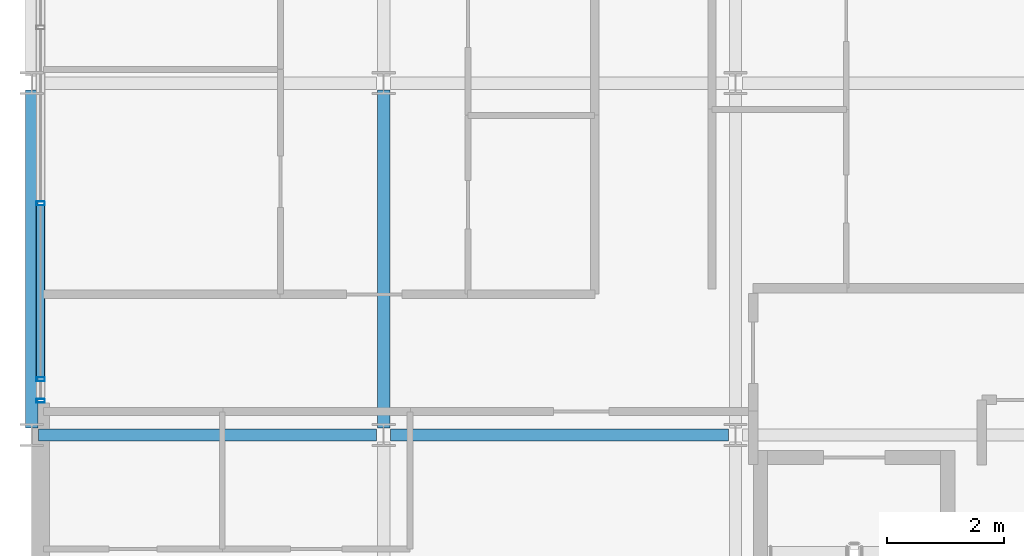
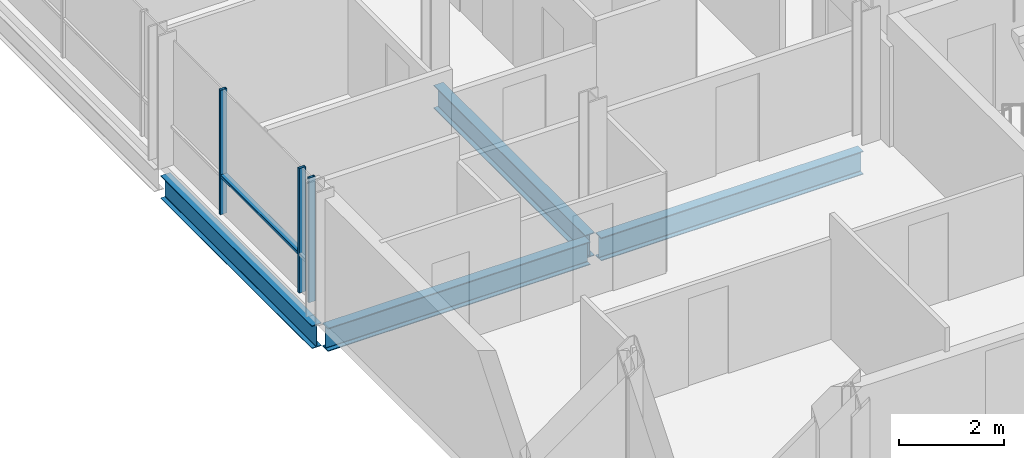
# One storey, part 3 of 33: 4 beams, 4 members, 1 element without a shape of its own.
"""IFC4 building model written with IfcOpenShell, lengths in metres."""

import ifcopenshell
import ifcopenshell.guid

model = None  # the IFC model being written
_history = None  # IfcOwnerHistory: only IFC2X3 demands one
_inside = {}  # id of a spatial element -> (the spatial element, [elements in it])
_under = {}  # id of a project, library or spatial element -> (it, [spatial elements below it])
_declared = {}  # id of a project -> (the project, [libraries it declares])
_typed = {}  # id of a type object -> (the type object, [elements of that type])
_made_of = {}  # id of a material, layer set ... -> (it, [elements and type objects made of it])


def new_model(schema):
    """Start an empty IFC model of exactly this schema.

    Asked for "IFC4X3", IfcOpenShell would pick the latest addendum, in which some entities
    have other attributes; the version numbers below select the first issue.
    IFC2X3 requires an IfcOwnerHistory on every rooted entity: one is made here for all.
    """
    global model, _history
    if schema == "IFC4X3":
        model = ifcopenshell.file(schema_version=(4, 3, 0, 0))
    else:
        model = ifcopenshell.file(schema=schema)
    _inside.clear()
    _under.clear()
    _declared.clear()
    _typed.clear()
    _made_of.clear()
    _history = None
    if model.schema == "IFC2X3":
        org = make("IfcOrganization", Name="unknown")
        user = make(
            "IfcPersonAndOrganization",
            ThePerson=make("IfcPerson", FamilyName="unknown"),
            TheOrganization=org,
        )
        app = make(
            "IfcApplication",
            ApplicationDeveloper=org,
            Version="unknown",
            ApplicationFullName="unknown",
            ApplicationIdentifier="unknown",
        )
        _history = make(
            "IfcOwnerHistory",
            OwningUser=user,
            OwningApplication=app,
            ChangeAction="ADDED",
            CreationDate=0,
        )
    return model


def make(cls, **values):
    """One entity of the class cls with the attributes given. An attribute that is None is left unset."""
    return model.create_entity(
        cls, **{name: value for name, value in values.items() if value is not None}
    )


def rooted(cls, **values):
    """An entity with a GlobalId (a new one), such as an element, a storey or a relation."""
    return make(cls, GlobalId=ifcopenshell.guid.new(), OwnerHistory=_history, **values)


def si_unit(unit_type, name, prefix=None):
    """IfcSIUnit, for example si_unit("LENGTHUNIT", "METRE", prefix="MILLI")."""
    return make("IfcSIUnit", UnitType=unit_type, Prefix=prefix, Name=name)


def assignment(units):
    """IfcUnitAssignment: the units of a project."""
    return None if units is None else make("IfcUnitAssignment", Units=units)


def point(xyz):
    """IfcCartesianPoint."""
    return None if xyz is None else make("IfcCartesianPoint", Coordinates=xyz)


def direction(xyz):
    """IfcDirection."""
    return None if xyz is None else make("IfcDirection", DirectionRatios=xyz)


def frame(location, z_axis=None, x_axis=None):
    """IfcAxis2Placement3D, a coordinate frame: its origin and axes. An axis left out is left unset."""
    return make(
        "IfcAxis2Placement3D",
        Location=point(location),
        Axis=direction(z_axis),
        RefDirection=direction(x_axis),
    )


def frame_2d(location, x_axis=None):
    """IfcAxis2Placement2D, a coordinate frame in the plane: its origin and x axis."""
    return make(
        "IfcAxis2Placement2D", Location=point(location), RefDirection=direction(x_axis)
    )


def origin():
    """The frame at (0, 0, 0) with its axes left unset."""
    return frame((0.0, 0.0, 0.0))


def origin_2d():
    """The frame at (0, 0) in the plane with its x axis left unset."""
    return frame_2d((0.0, 0.0))


def place(relative_to, where):
    """IfcLocalPlacement: puts the frame where relative to a parent placement (None: the world)."""
    return make(
        "IfcLocalPlacement", PlacementRelTo=relative_to, RelativePlacement=where
    )


def context(
    kind, dimensions, precision=None, world=None, true_north=None, identifier=None
):
    """IfcGeometricRepresentationContext, for example the 3D "Model" context."""
    return make(
        "IfcGeometricRepresentationContext",
        ContextIdentifier=identifier,
        ContextType=kind,
        CoordinateSpaceDimension=dimensions,
        Precision=precision,
        WorldCoordinateSystem=world,
        TrueNorth=true_north,
    )


def subcontext(parent, identifier, kind, view, scale=None):
    """IfcGeometricRepresentationSubContext, for example "Body" below "Model"."""
    return make(
        "IfcGeometricRepresentationSubContext",
        ContextIdentifier=identifier,
        ContextType=kind,
        ParentContext=parent,
        TargetScale=scale,
        TargetView=view,
    )


def project(units=None, contexts=None):
    """IfcProject with its units and contexts."""
    return rooted(
        "IfcProject",
        Name="project",
        RepresentationContexts=contexts,
        UnitsInContext=assignment(units),
    )


def spatial(cls, under=None, at=None, **own):
    """A site, building, storey or space (cls), placed at a placement, below another one or the project."""
    s = rooted(cls, ObjectPlacement=at, **own)
    if under is not None:
        _under.setdefault(under.id(), (under, []))[1].append(s)
    return s


def profile(cls, at=None, kind="AREA", **sizes):
    """A parametric profile (cls). Its sizes go by their IFC names, for example OverallWidth=200.0."""
    return make(cls, ProfileType=kind, Position=at, **sizes)


def hollow_rectangle(**sizes):
    """IfcRectangleHollowProfileDef."""
    return profile("IfcRectangleHollowProfileDef", **sizes)


def i_section(**sizes):
    """IfcIShapeProfileDef."""
    return profile("IfcIShapeProfileDef", **sizes)


def extrude(swept, where, along, depth):
    """IfcExtrudedAreaSolid: the profile swept, set in the frame where, extruded along a direction by depth."""
    return make(
        "IfcExtrudedAreaSolid",
        SweptArea=swept,
        Position=where,
        ExtrudedDirection=direction(along),
        Depth=depth,
    )


def shape(context_of_items, identifier, shape_type, items):
    """IfcShapeRepresentation: the items that make up one representation, for example the "Body"."""
    return make(
        "IfcShapeRepresentation",
        ContextOfItems=context_of_items,
        RepresentationIdentifier=identifier,
        RepresentationType=shape_type,
        Items=items,
    )


def material(Name=None, Category=None):
    """IfcMaterial."""
    return make("IfcMaterial", Name=Name, Category=Category)


def layer(
    of_material, thickness, ventilated=None, Name=None, Category=None, Priority=None
):
    """IfcMaterialLayer: one layer of a wall or slab, of a material (None: an air gap)."""
    return make(
        "IfcMaterialLayer",
        Material=of_material,
        LayerThickness=thickness,
        IsVentilated=ventilated,
        Name=Name,
        Category=Category,
        Priority=Priority,
    )


def layer_set(layers, Name=None):
    """IfcMaterialLayerSet."""
    return make("IfcMaterialLayerSet", MaterialLayers=layers, LayerSetName=Name)


def material_profile(
    of_material, cross_section, Name=None, Category=None, Priority=None
):
    """IfcMaterialProfile: a cross section and its material."""
    return make(
        "IfcMaterialProfile",
        Name=Name,
        Material=of_material,
        Profile=cross_section,
        Priority=Priority,
        Category=Category,
    )


def profile_set(profiles, Name=None, composite=None):
    """IfcMaterialProfileSet."""
    return make(
        "IfcMaterialProfileSet",
        Name=Name,
        MaterialProfiles=profiles,
        CompositeProfile=composite,
    )


def made_of(thing, what):
    """Note that an element or type object is made of a material, layer set ...; save() writes the relation."""
    if what is not None:
        _made_of.setdefault(what.id(), (what, []))[1].append(thing)
    return thing


def type_object(cls, material=None, **own):
    """A type object (cls), such as IfcWallType, which elements share."""
    return made_of(rooted(cls, **own), material)


def element(
    cls,
    number,
    at=None,
    inside=None,
    cuts=None,
    type_object=None,
    material=None,
    context=None,
    identifier="Body",
    shape_type=None,
    held_by="IfcProductDefinitionShape",
    body=None,
    shapes=None,
    **own,
):
    """One element of the class cls, such as IfcWall. Its Tag is "e" and its number.

    at: its placement. inside: the storey or other place that contains it. cuts: it is an
    opening in that element (IfcRelVoidsElement). A single representation is given by context,
    identifier, shape_type and body (its items); several are given by shapes. held_by: the class
    of the entity that holds the representations. save() writes the other relations.
    """
    e = rooted(cls, Tag="e%d" % number, ObjectPlacement=at, **own)
    if body is not None:
        shapes = [shape(context, identifier, shape_type, body)]
    if shapes is not None:
        e.Representation = make(held_by, Representations=shapes)
    if inside is not None:
        _inside.setdefault(inside.id(), (inside, []))[1].append(e)
    if cuts is not None:
        rooted(
            "IfcRelVoidsElement", RelatingBuildingElement=cuts, RelatedOpeningElement=e
        )
    if type_object is not None:
        _typed.setdefault(type_object.id(), (type_object, []))[1].append(e)
    return made_of(e, material)


def aggregate(whole, parts):
    """IfcRelAggregates: a whole, such as a stair, and the parts it consists of."""
    return rooted("IfcRelAggregates", RelatingObject=whole, RelatedObjects=parts)


def save(model, path):
    """Write the relations noted so far, then the file.

    IfcRelAggregates (storeys below a building ...), IfcRelContainedInSpatialStructure (elements
    in a storey), IfcRelDefinesByType, IfcRelAssociatesMaterial and IfcRelDeclares: one each for
    every whole, place, type object, material and project.
    """
    for whole, parts in _under.values():
        aggregate(whole, parts)
    for where, things in _inside.values():
        rooted(
            "IfcRelContainedInSpatialStructure",
            RelatedElements=things,
            RelatingStructure=where,
        )
    for kind, things in _typed.values():
        rooted("IfcRelDefinesByType", RelatedObjects=things, RelatingType=kind)
    for what, things in _made_of.values():
        rooted("IfcRelAssociatesMaterial", RelatedObjects=things, RelatingMaterial=what)
    for by, libraries in _declared.values():
        rooted("IfcRelDeclares", RelatingContext=by, RelatedDefinitions=libraries)
    model.write(path)


model = new_model("IFC4")

# Units and contexts
model_context = context("Model", 3, precision=1e-05, world=origin(), true_north=direction((0.0, 1.0)))
body_context = subcontext(model_context, "Body", "Model", "MODEL_VIEW")
ifc_project = project(units=[si_unit("LENGTHUNIT", "METRE"), si_unit("AREAUNIT", "SQUARE_METRE"), si_unit("VOLUMEUNIT", "CUBIC_METRE"), si_unit("PLANEANGLEUNIT", "RADIAN"), si_unit("MASSUNIT", "GRAM", prefix="KILO")], contexts=[model_context])

# Site, building, storey
site_placement = place(None, origin())
site = spatial("IfcSite", under=ifc_project, at=site_placement, CompositionType="ELEMENT")
building_placement = place(site_placement, origin())
building = spatial("IfcBuilding", under=site, at=building_placement, Name="Brevholm Reach", CompositionType="ELEMENT")
storey_placement = place(building_placement, frame((0.0, 0.0, 189.39990234375)))
storey = spatial("IfcBuildingStorey", under=building, at=storey_placement, Name="L57", CompositionType="ELEMENT", Elevation=189.39990234375)

# Beams
ifc_material_1 = material(Name="Structural Steel S355J2", Category="steel")
ifc_material_profile_1 = material_profile(ifc_material_1, i_section(OverallWidth=0.209228515625, OverallDepth=0.533203125, WebThickness=0.010009765625, FlangeThickness=0.015625, FilletRadius=0.0126953125, at=origin_2d()), Name="UKB 533x210x92")
ifc_profile_set_1 = profile_set([ifc_material_profile_1], Name="Structural Steel S355J2")
beam_type_1 = type_object("IfcBeamType", Name="BM-SP533", PredefinedType="SPANDREL", material=ifc_profile_set_1)
beam_placement = place(storey_placement, frame((0.0, 10.1201171875, -0.4765625), z_axis=(0.0, 1.0, 0.0), x_axis=(-1.0, 0.0, 0.0)))
element("IfcBeam", 1, at=beam_placement, inside=storey, type_object=beam_type_1, Name="L57 SP-02 Framing Beam", PredefinedType="SPANDREL", context=body_context, shape_type="SweptSolid", body=[
    extrude(i_section(OverallWidth=0.209228515625, OverallDepth=0.533203125, WebThickness=0.010009765625, FlangeThickness=0.015625, FilletRadius=0.0126953125, at=origin_2d()), origin(), (0.0, 0.0, 1.0), 5.759765625),
])
ifc_material_2 = material(Name="Structural Steel S355J2", Category="steel")
ifc_material_profile_2 = material_profile(ifc_material_2, i_section(OverallWidth=0.210693359375, OverallDepth=0.53955078125, WebThickness=0.01171875, FlangeThickness=0.018798828125, FilletRadius=0.0126953125, at=origin_2d()), Name="UKB 533x210x109")
ifc_profile_set_2 = profile_set([ifc_material_profile_2], Name="Structural Steel S355J2")
beam_type_2 = type_object("IfcBeamType", Name="BM-SP539", PredefinedType="SPANDREL", material=ifc_profile_set_2)
for number, where, z_axis, x_axis, name in (
    (2, (0.1201171875, 10.0, -0.479736328125), (1.0, 0.0, 0.0), (0.0, 1.0, 0.0), "L57 SP-01B Framing Beam"),
    (3, (6.1201171875, 10.0, -0.479736328125), (1.0, 0.0, 0.0), (0.0, 1.0, 0.0), "L57 SP-01B Framing Beam"),
    (4, (6.0, 10.1201171875, -0.479736328125), (0.0, 1.0, 0.0), (-1.0, 0.0, 0.0), "L57 SP-01B Framing Beam"),
):
    element("IfcBeam", number, at=place(storey_placement, frame(where, z_axis=z_axis, x_axis=x_axis)), inside=storey, type_object=beam_type_2, Name=name, PredefinedType="SPANDREL", context=body_context, shape_type="SweptSolid", body=[
        extrude(i_section(OverallWidth=0.210693359375, OverallDepth=0.53955078125, WebThickness=0.01171875, FlangeThickness=0.018798828125, FilletRadius=0.0126953125, at=origin_2d()), origin(), (0.0, 0.0, 1.0), 5.759765625),
    ])

# Curtain wall, members
ifc_material_3 = material(Name="Dark Anodised Aluminium 6063-T6 and Solar-Control Glass", Category="aluminium")
ifc_layer = layer(ifc_material_3, 0.14990234375)
ifc_layer_set = layer_set([ifc_layer], Name="Dark Anodised Aluminium 6063-T6 and Solar-Control Glass")
curtain_wall_type = type_object("IfcCurtainWallType", Name="CW-01", PredefinedType="NOTDEFINED", material=ifc_layer_set)
curtain_wall_placement = place(storey_placement, origin())
curtain_wall = element("IfcCurtainWall", 5, at=curtain_wall_placement, inside=storey, type_object=curtain_wall_type, Name="L57 Curtain Wall CW-01", PredefinedType="NOTDEFINED")
ifc_material_4 = material(Name="Dark Anodised Aluminium 6063-T6", Category="aluminium")
ifc_material_profile_3 = material_profile(ifc_material_4, hollow_rectangle(XDim=0.06494140625, YDim=0.14990234375, WallThickness=0.0048828125, InnerFilletRadius=0.0048828125, OuterFilletRadius=0.010009765625, at=origin_2d()), Name="RHS 150x65x5")
ifc_profile_set_3 = profile_set([ifc_material_profile_3], Name="Dark Anodised Aluminium 6063-T6")
member_type_1 = type_object("IfcMemberType", Name="CWM-150", PredefinedType="MULLION", material=ifc_profile_set_3)
member_1_placement = place(storey_placement, frame((0.14990234375, 13.949951171875, 0.0), z_axis=(0.0, 0.0, 1.0), x_axis=(0.0, -1.0, 0.0)))
member_1 = element("IfcMember", 6, at=member_1_placement, type_object=member_type_1, Name="CM-150 Mullion 4", PredefinedType="MULLION", context=body_context, shape_type="SweptSolid", body=[
    extrude(hollow_rectangle(XDim=0.06494140625, YDim=0.14990234375, WallThickness=0.0048828125, InnerFilletRadius=0.0048828125, OuterFilletRadius=0.010009765625, at=origin_2d()), origin(), (0.0, 0.0, 1.0), 2.89013671875),
])
member_2_placement = place(storey_placement, frame((0.14990234375, 10.949951171875, 0.0), z_axis=(0.0, 0.0, 1.0), x_axis=(0.0, -1.0, 0.0)))
member_2 = element("IfcMember", 7, at=member_2_placement, type_object=member_type_1, Name="CM-150 Mullion 5", PredefinedType="MULLION", context=body_context, shape_type="SweptSolid", body=[
    extrude(hollow_rectangle(XDim=0.06494140625, YDim=0.14990234375, WallThickness=0.0048828125, InnerFilletRadius=0.0048828125, OuterFilletRadius=0.010009765625, at=origin_2d()), origin(), (0.0, 0.0, 1.0), 2.89013671875),
])
member_3_placement = place(storey_placement, frame((0.14990234375, 10.58251953125, 0.0), z_axis=(0.0, 0.0, 1.0), x_axis=(0.0, -1.0, 0.0)))
member_3 = element("IfcMember", 8, at=member_3_placement, type_object=member_type_1, Name="CM-150 Mullion 6", PredefinedType="MULLION", context=body_context, shape_type="SweptSolid", body=[
    extrude(hollow_rectangle(XDim=0.06494140625, YDim=0.14990234375, WallThickness=0.0048828125, InnerFilletRadius=0.0048828125, OuterFilletRadius=0.010009765625, at=origin_2d()), origin(), (0.0, 0.0, 1.0), 2.89013671875),
])
ifc_material_5 = material(Name="Dark Anodised Aluminium 6063-T6", Category="aluminium")
ifc_material_profile_4 = material_profile(ifc_material_5, hollow_rectangle(XDim=0.06494140625, YDim=0.14990234375, WallThickness=0.0048828125, InnerFilletRadius=0.0048828125, OuterFilletRadius=0.010009765625, at=origin_2d()), Name="RHS 150x65x5")
ifc_profile_set_4 = profile_set([ifc_material_profile_4], Name="Dark Anodised Aluminium 6063-T6")
member_type_2 = type_object("IfcMemberType", Name="CWT-150", PredefinedType="NOTDEFINED", material=ifc_profile_set_4)
member_4_placement = place(storey_placement, frame((0.14990234375, 13.91748046875, 0.900146484375), z_axis=(0.0, -1.0, 0.0), x_axis=(0.0, 0.0, 1.0)))
member_4 = element("IfcMember", 9, at=member_4_placement, type_object=member_type_2, Name="CT-150 Transom 4.1", ObjectType="TRANSOM", PredefinedType="USERDEFINED", context=body_context, shape_type="SweptSolid", body=[
    extrude(hollow_rectangle(XDim=0.06494140625, YDim=0.14990234375, WallThickness=0.0048828125, InnerFilletRadius=0.0048828125, OuterFilletRadius=0.010009765625, at=origin_2d()), origin(), (0.0, 0.0, 1.0), 2.93505859375),
])
aggregate(curtain_wall, [member_1, member_2, member_3, member_4])

save(model, "model.ifc")
